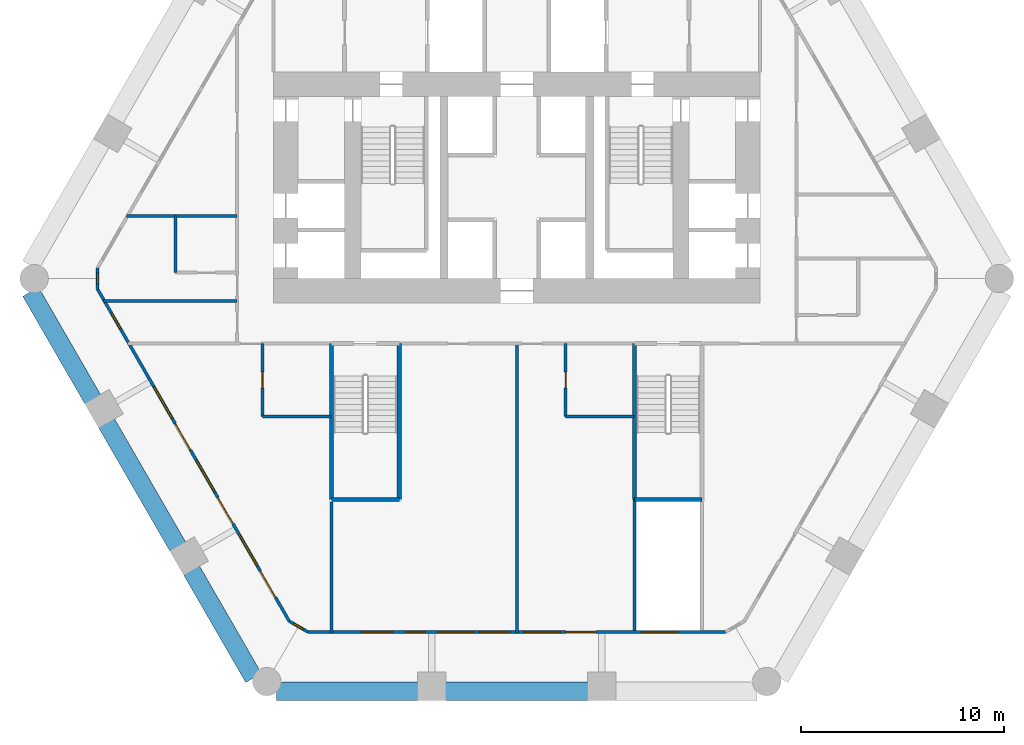
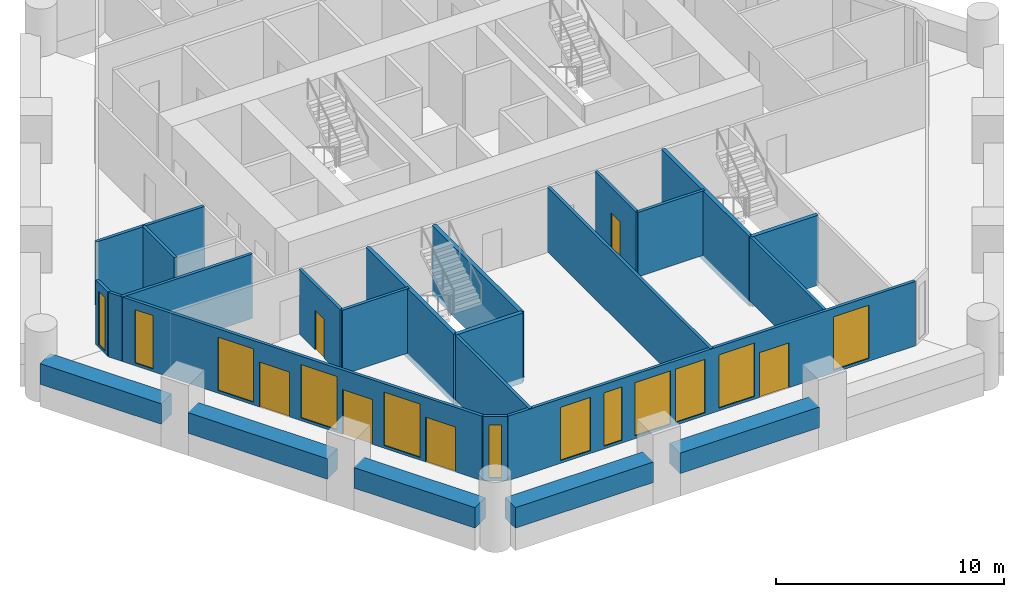
# One storey, part 2 of 8: 24 walls, 12 windows, 6 doors, 18 openings.
"""IFC4 building model written with IfcOpenShell, lengths in metres."""

from ifc_helpers import new_model, si_unit, direction, frame, frame_2d, origin, place, context, subcontext, project, spatial, rectangle, extrude, material, layer, layer_set, type_object, element, fill, save


model = new_model("IFC4")

# Units and contexts
model_context = context("Model", 3, precision=1e-05, world=origin(), true_north=direction((0.0, 1.0)))
body_context = subcontext(model_context, "Body", "Model", "MODEL_VIEW")
ifc_project = project(units=[si_unit("LENGTHUNIT", "METRE"), si_unit("AREAUNIT", "SQUARE_METRE"), si_unit("VOLUMEUNIT", "CUBIC_METRE"), si_unit("PLANEANGLEUNIT", "RADIAN"), si_unit("MASSUNIT", "GRAM", prefix="KILO")], contexts=[model_context])

# Site, building, storey
site_placement = place(None, origin())
site = spatial("IfcSite", under=ifc_project, at=site_placement, CompositionType="ELEMENT")
building_placement = place(site_placement, origin())
building = spatial("IfcBuilding", under=site, at=building_placement, Name="Ostrander Bayou Hotel Tower", CompositionType="ELEMENT")
storey_placement = place(building_placement, frame((0.0, 0.0, 50.5)))
storey = spatial("IfcBuildingStorey", under=building, at=storey_placement, Name="L12", CompositionType="ELEMENT", Elevation=50.5)

# Wall, openings, doors, windows
ifc_material_1 = material(Name="Aluminium framed insulated wall", Category="aluminium")
ifc_layer_1 = layer(ifc_material_1, 0.14990234375)
ifc_layer_set_1 = layer_set([ifc_layer_1], Name="GW1 glass-line wall 150 mm")
wall_type_1 = type_object("IfcWallType", Name="GW1 glass-line wall 150 mm", PredefinedType="SOLIDWALL", material=ifc_layer_set_1)
wall_1_placement = place(storey_placement, frame((-20.6845703125, -1.0234375, 0.0), z_axis=(0.0, 0.0, 1.0), x_axis=(0.500004426522, -0.866022848116, 0.0)))
wall_1 = element("IfcWall", 1, at=wall_1_placement, inside=storey, type_object=wall_type_1, Name="GW1 L12 SW 1", PredefinedType="SOLIDWALL", context=body_context, shape_type="SweptSolid", body=[
    extrude(rectangle(XDim=18.911865234375, YDim=0.14990234375, at=frame_2d((9.4560546875, 0.0))), origin(), (0.0, 0.0, 1.0), 3.449951171875),
])
opening_1_placement = place(wall_1_placement, frame((1.35595703125, 0.0, 0.14990234375)))
opening_1 = element("IfcOpeningElement", 2, at=opening_1_placement, cuts=wall_1, Name="Opening W15", PredefinedType="OPENING", context=body_context, shape_type="SweptSolid", body=[
    extrude(rectangle(XDim=0.89990234375, YDim=2.85009765625, at=frame_2d((0.449951171875, 1.425048828125))), frame((0.0, 0.074951171875, 0.0), z_axis=(0.0, -1.0, 0.0), x_axis=(1.0, 0.0, 0.0)), (0.0, 0.0, 1.0), 0.14990234375),
])
opening_2_placement = place(wall_1_placement, frame((5.555908203125, 0.0, 0.14990234375)))
opening_2 = element("IfcOpeningElement", 3, at=opening_2_placement, cuts=wall_1, Name="Opening W1", PredefinedType="OPENING", context=body_context, shape_type="SweptSolid", body=[
    extrude(rectangle(XDim=1.800048828125, YDim=2.85009765625, at=frame_2d((0.89990234375, 1.425048828125))), frame((0.0, 0.074951171875, 0.0), z_axis=(0.0, -1.0, 0.0), x_axis=(1.0, 0.0, 0.0)), (0.0, 0.0, 1.0), 0.14990234375),
])
opening_3_placement = place(wall_1_placement, frame((7.656005859375, 0.0, 0.0)))
opening_3 = element("IfcOpeningElement", 4, at=opening_3_placement, cuts=wall_1, Name="Opening T12-800", PredefinedType="OPENING", context=body_context, shape_type="SweptSolid", body=[
    extrude(rectangle(XDim=1.5, YDim=2.39990234375, at=frame_2d((0.75, 1.199951171875))), frame((0.0, 0.074951171875, 0.0), z_axis=(0.0, -1.0, 0.0), x_axis=(1.0, 0.0, 0.0)), (0.0, 0.0, 1.0), 0.14990234375),
])
opening_4_placement = place(wall_1_placement, frame((9.755859375, 0.0, 0.14990234375)))
opening_4 = element("IfcOpeningElement", 5, at=opening_4_placement, cuts=wall_1, Name="Opening W1", PredefinedType="OPENING", context=body_context, shape_type="SweptSolid", body=[
    extrude(rectangle(XDim=1.800048828125, YDim=2.85009765625, at=frame_2d((0.89990234375, 1.425048828125))), frame((0.0, 0.074951171875, 0.0), z_axis=(0.0, -1.0, 0.0), x_axis=(1.0, 0.0, 0.0)), (0.0, 0.0, 1.0), 0.14990234375),
])
opening_5_placement = place(wall_1_placement, frame((11.85595703125, 0.0, 0.0)))
opening_5 = element("IfcOpeningElement", 6, at=opening_5_placement, cuts=wall_1, Name="Opening T12-801", PredefinedType="OPENING", context=body_context, shape_type="SweptSolid", body=[
    extrude(rectangle(XDim=1.5, YDim=2.39990234375, at=frame_2d((0.75, 1.199951171875))), frame((0.0, 0.074951171875, 0.0), z_axis=(0.0, -1.0, 0.0), x_axis=(1.0, 0.0, 0.0)), (0.0, 0.0, 1.0), 0.14990234375),
])
opening_6_placement = place(wall_1_placement, frame((13.955810546875, 0.0, 0.14990234375)))
opening_6 = element("IfcOpeningElement", 7, at=opening_6_placement, cuts=wall_1, Name="Opening W1", PredefinedType="OPENING", context=body_context, shape_type="SweptSolid", body=[
    extrude(rectangle(XDim=1.800048828125, YDim=2.85009765625, at=frame_2d((0.89990234375, 1.425048828125))), frame((0.0, 0.074951171875, 0.0), z_axis=(0.0, -1.0, 0.0), x_axis=(1.0, 0.0, 0.0)), (0.0, 0.0, 1.0), 0.14990234375),
])
opening_7_placement = place(wall_1_placement, frame((16.055908203125, 0.0, 0.0)))
opening_7 = element("IfcOpeningElement", 8, at=opening_7_placement, cuts=wall_1, Name="Opening T12-802", PredefinedType="OPENING", context=body_context, shape_type="SweptSolid", body=[
    extrude(rectangle(XDim=1.5, YDim=2.39990234375, at=frame_2d((0.75, 1.199951171875))), frame((0.0, 0.074951171875, 0.0), z_axis=(0.0, -1.0, 0.0), x_axis=(1.0, 0.0, 0.0)), (0.0, 0.0, 1.0), 0.14990234375),
])
ifc_material_2 = material(Name="Aluminium and clear glass", Category="aluminium")
door_type_1 = type_object("IfcDoorType", Name="SD1 sliding glass door 1500 mm, zone 1", OperationType="SLIDING_TO_LEFT", PredefinedType="DOOR", material=ifc_material_2)
door_1_placement = place(opening_3_placement, origin())
door_1 = element("IfcDoor", 9, at=door_1_placement, inside=storey, type_object=door_type_1, Name="SD1 L12 SW 2", OperationType="SLIDING_TO_RIGHT", OverallHeight=2.39990234375, OverallWidth=1.5, PredefinedType="DOOR", context=body_context, shape_type="SweptSolid", body=[
    extrude(rectangle(XDim=1.5, YDim=2.39990234375, at=frame_2d((0.75, 1.199951171875))), frame((0.0, 0.02490234375, 0.0), z_axis=(0.0, -1.0, 0.0), x_axis=(1.0, 0.0, 0.0)), (0.0, 0.0, 1.0), 0.050048828125),
])
fill(opening_3, door_1)
door_2_placement = place(opening_5_placement, origin())
door_2 = element("IfcDoor", 10, at=door_2_placement, inside=storey, type_object=door_type_1, Name="SD1 L12 SW 3", OperationType="SLIDING_TO_LEFT", OverallHeight=2.39990234375, OverallWidth=1.5, PredefinedType="DOOR", context=body_context, shape_type="SweptSolid", body=[
    extrude(rectangle(XDim=1.5, YDim=2.39990234375, at=frame_2d((0.75, 1.199951171875))), frame((0.0, 0.02490234375, 0.0), z_axis=(0.0, -1.0, 0.0), x_axis=(1.0, 0.0, 0.0)), (0.0, 0.0, 1.0), 0.050048828125),
])
fill(opening_5, door_2)
door_3_placement = place(opening_7_placement, origin())
door_3 = element("IfcDoor", 11, at=door_3_placement, inside=storey, type_object=door_type_1, Name="SD1 L12 SW 4", OperationType="SLIDING_TO_RIGHT", OverallHeight=2.39990234375, OverallWidth=1.5, PredefinedType="DOOR", context=body_context, shape_type="SweptSolid", body=[
    extrude(rectangle(XDim=1.5, YDim=2.39990234375, at=frame_2d((0.75, 1.199951171875))), frame((0.0, 0.02490234375, 0.0), z_axis=(0.0, -1.0, 0.0), x_axis=(1.0, 0.0, 0.0)), (0.0, 0.0, 1.0), 0.050048828125),
])
fill(opening_7, door_3)
ifc_material_3 = material(Name="Aluminium and clear glass", Category="aluminium")
window_type_1 = type_object("IfcWindowType", Name="W1 fixed window 1800 mm, zone 1", PartitioningType="SINGLE_PANEL", PredefinedType="WINDOW", material=ifc_material_3)
window_1_placement = place(opening_2_placement, origin())
window_1 = element("IfcWindow", 12, at=window_1_placement, inside=storey, type_object=window_type_1, Name="W1 L12 SW 2", OverallHeight=2.85009765625, OverallWidth=1.800048828125, PartitioningType="SINGLE_PANEL", PredefinedType="WINDOW", context=body_context, shape_type="SweptSolid", body=[
    extrude(rectangle(XDim=1.800048828125, YDim=2.85009765625, at=frame_2d((0.89990234375, 1.425048828125))), frame((0.0, 0.030029296875, 0.0), z_axis=(0.0, -1.0, 0.0), x_axis=(1.0, 0.0, 0.0)), (0.0, 0.0, 1.0), 0.06005859375),
])
fill(opening_2, window_1)
window_2_placement = place(opening_4_placement, origin())
window_2 = element("IfcWindow", 13, at=window_2_placement, inside=storey, type_object=window_type_1, Name="W1 L12 SW 3", OverallHeight=2.85009765625, OverallWidth=1.800048828125, PartitioningType="SINGLE_PANEL", PredefinedType="WINDOW", context=body_context, shape_type="SweptSolid", body=[
    extrude(rectangle(XDim=1.800048828125, YDim=2.85009765625, at=frame_2d((0.89990234375, 1.425048828125))), frame((0.0, 0.030029296875, 0.0), z_axis=(0.0, -1.0, 0.0), x_axis=(1.0, 0.0, 0.0)), (0.0, 0.0, 1.0), 0.06005859375),
])
fill(opening_4, window_2)
window_3_placement = place(opening_6_placement, origin())
window_3 = element("IfcWindow", 14, at=window_3_placement, inside=storey, type_object=window_type_1, Name="W1 L12 SW 4", OverallHeight=2.85009765625, OverallWidth=1.800048828125, PartitioningType="SINGLE_PANEL", PredefinedType="WINDOW", context=body_context, shape_type="SweptSolid", body=[
    extrude(rectangle(XDim=1.800048828125, YDim=2.85009765625, at=frame_2d((0.89990234375, 1.425048828125))), frame((0.0, 0.030029296875, 0.0), z_axis=(0.0, -1.0, 0.0), x_axis=(1.0, 0.0, 0.0)), (0.0, 0.0, 1.0), 0.06005859375),
])
fill(opening_6, window_3)
ifc_material_4 = material(Name="Aluminium and clear glass", Category="aluminium")
window_type_2 = type_object("IfcWindowType", Name="W15 window 900 mm, zone 1", PartitioningType="SINGLE_PANEL", PredefinedType="WINDOW", material=ifc_material_4)
window_4_placement = place(opening_1_placement, origin())
window_4 = element("IfcWindow", 15, at=window_4_placement, inside=storey, type_object=window_type_2, Name="W15 L12 SW 1", OverallHeight=2.85009765625, OverallWidth=0.89990234375, PartitioningType="SINGLE_PANEL", PredefinedType="WINDOW", context=body_context, shape_type="SweptSolid", body=[
    extrude(rectangle(XDim=0.89990234375, YDim=2.85009765625, at=frame_2d((0.449951171875, 1.425048828125))), frame((0.0, 0.030029296875, 0.0), z_axis=(0.0, -1.0, 0.0), x_axis=(1.0, 0.0, 0.0)), (0.0, 0.0, 1.0), 0.06005859375),
])
fill(opening_1, window_4)

# Wall, openings, door, windows
wall_2_placement = place(storey_placement, frame((-10.306396484375, -17.93408203125, 0.0), z_axis=(0.0, 0.0, 1.0), x_axis=(1.0, 0.0, 0.0)))
wall_2 = element("IfcWall", 16, at=wall_2_placement, inside=storey, type_object=wall_type_1, Name="GW1 L12 S 1", PredefinedType="SOLIDWALL", context=body_context, shape_type="SweptSolid", body=[
    extrude(rectangle(XDim=20.61279296875, YDim=0.14990234375, at=frame_2d((10.306396484375, 0.0))), origin(), (0.0, 0.0, 1.0), 3.449951171875),
])
opening_8_placement = place(wall_2_placement, frame((4.856201171875, 0.0, 0.14990234375)))
opening_8 = element("IfcOpeningElement", 17, at=opening_8_placement, cuts=wall_2, Name="Opening W15", PredefinedType="OPENING", context=body_context, shape_type="SweptSolid", body=[
    extrude(rectangle(XDim=0.89990234375, YDim=2.85009765625, at=frame_2d((0.449951171875, 1.425048828125))), frame((0.0, 0.074951171875, 0.0), z_axis=(0.0, -1.0, 0.0), x_axis=(1.0, 0.0, 0.0)), (0.0, 0.0, 1.0), 0.14990234375),
])
opening_9_placement = place(wall_2_placement, frame((2.65625, 0.0, 0.14990234375)))
opening_9 = element("IfcOpeningElement", 18, at=opening_9_placement, cuts=wall_2, Name="Opening W11", PredefinedType="OPENING", context=body_context, shape_type="SweptSolid", body=[
    extrude(rectangle(XDim=1.5, YDim=2.85009765625, at=frame_2d((0.75, 1.425048828125))), frame((0.0, 0.074951171875, 0.0), z_axis=(0.0, -1.0, 0.0), x_axis=(1.0, 0.0, 0.0)), (0.0, 0.0, 1.0), 0.14990234375),
])
opening_10_placement = place(wall_2_placement, frame((6.40625, 0.0, 0.14990234375)))
opening_10 = element("IfcOpeningElement", 19, at=opening_10_placement, cuts=wall_2, Name="Opening W1", PredefinedType="OPENING", context=body_context, shape_type="SweptSolid", body=[
    extrude(rectangle(XDim=1.800048828125, YDim=2.85009765625, at=frame_2d((0.89990234375, 1.425048828125))), frame((0.0, 0.074951171875, 0.0), z_axis=(0.0, -1.0, 0.0), x_axis=(1.0, 0.0, 0.0)), (0.0, 0.0, 1.0), 0.14990234375),
])
opening_11_placement = place(wall_2_placement, frame((8.456298828125, 0.0, 0.14990234375)))
opening_11 = element("IfcOpeningElement", 20, at=opening_11_placement, cuts=wall_2, Name="Opening W11", PredefinedType="OPENING", context=body_context, shape_type="SweptSolid", body=[
    extrude(rectangle(XDim=1.5, YDim=2.85009765625, at=frame_2d((0.75, 1.425048828125))), frame((0.0, 0.074951171875, 0.0), z_axis=(0.0, -1.0, 0.0), x_axis=(1.0, 0.0, 0.0)), (0.0, 0.0, 1.0), 0.14990234375),
])
opening_12_placement = place(wall_2_placement, frame((10.65625, 0.0, 0.14990234375)))
opening_12 = element("IfcOpeningElement", 21, at=opening_12_placement, cuts=wall_2, Name="Opening W1", PredefinedType="OPENING", context=body_context, shape_type="SweptSolid", body=[
    extrude(rectangle(XDim=1.800048828125, YDim=2.85009765625, at=frame_2d((0.89990234375, 1.425048828125))), frame((0.0, 0.074951171875, 0.0), z_axis=(0.0, -1.0, 0.0), x_axis=(1.0, 0.0, 0.0)), (0.0, 0.0, 1.0), 0.14990234375),
])
opening_13_placement = place(wall_2_placement, frame((12.706298828125, 0.0, 0.0)))
opening_13 = element("IfcOpeningElement", 22, at=opening_13_placement, cuts=wall_2, Name="Opening T12-803", PredefinedType="OPENING", context=body_context, shape_type="SweptSolid", body=[
    extrude(rectangle(XDim=1.5, YDim=2.39990234375, at=frame_2d((0.75, 1.199951171875))), frame((0.0, 0.074951171875, 0.0), z_axis=(0.0, -1.0, 0.0), x_axis=(1.0, 0.0, 0.0)), (0.0, 0.0, 1.0), 0.14990234375),
])
opening_14_placement = place(wall_2_placement, frame((16.456298828125, 0.0, 0.14990234375)))
opening_14 = element("IfcOpeningElement", 23, at=opening_14_placement, cuts=wall_2, Name="Opening W1", PredefinedType="OPENING", context=body_context, shape_type="SweptSolid", body=[
    extrude(rectangle(XDim=1.800048828125, YDim=2.85009765625, at=frame_2d((0.89990234375, 1.425048828125))), frame((0.0, 0.074951171875, 0.0), z_axis=(0.0, -1.0, 0.0), x_axis=(1.0, 0.0, 0.0)), (0.0, 0.0, 1.0), 0.14990234375),
])
door_4_placement = place(opening_13_placement, origin())
door_4 = element("IfcDoor", 24, at=door_4_placement, inside=storey, type_object=door_type_1, Name="SD1 L12 S 3", OperationType="SLIDING_TO_LEFT", OverallHeight=2.39990234375, OverallWidth=1.5, PredefinedType="DOOR", context=body_context, shape_type="SweptSolid", body=[
    extrude(rectangle(XDim=1.5, YDim=2.39990234375, at=frame_2d((0.75, 1.199951171875))), frame((0.0, 0.02490234375, 0.0), z_axis=(0.0, -1.0, 0.0), x_axis=(1.0, 0.0, 0.0)), (0.0, 0.0, 1.0), 0.050048828125),
])
fill(opening_13, door_4)
window_5_placement = place(opening_10_placement, origin())
window_5 = element("IfcWindow", 25, at=window_5_placement, inside=storey, type_object=window_type_1, Name="W1 L12 S 2", OverallHeight=2.85009765625, OverallWidth=1.800048828125, PartitioningType="SINGLE_PANEL", PredefinedType="WINDOW", context=body_context, shape_type="SweptSolid", body=[
    extrude(rectangle(XDim=1.800048828125, YDim=2.85009765625, at=frame_2d((0.89990234375, 1.425048828125))), frame((0.0, 0.030029296875, 0.0), z_axis=(0.0, -1.0, 0.0), x_axis=(1.0, 0.0, 0.0)), (0.0, 0.0, 1.0), 0.06005859375),
])
fill(opening_10, window_5)
window_6_placement = place(opening_12_placement, origin())
window_6 = element("IfcWindow", 26, at=window_6_placement, inside=storey, type_object=window_type_1, Name="W1 L12 S 3", OverallHeight=2.85009765625, OverallWidth=1.800048828125, PartitioningType="SINGLE_PANEL", PredefinedType="WINDOW", context=body_context, shape_type="SweptSolid", body=[
    extrude(rectangle(XDim=1.800048828125, YDim=2.85009765625, at=frame_2d((0.89990234375, 1.425048828125))), frame((0.0, 0.030029296875, 0.0), z_axis=(0.0, -1.0, 0.0), x_axis=(1.0, 0.0, 0.0)), (0.0, 0.0, 1.0), 0.06005859375),
])
fill(opening_12, window_6)
window_7_placement = place(opening_14_placement, origin())
window_7 = element("IfcWindow", 27, at=window_7_placement, inside=storey, type_object=window_type_1, Name="W1 L12 S 4", OverallHeight=2.85009765625, OverallWidth=1.800048828125, PartitioningType="SINGLE_PANEL", PredefinedType="WINDOW", context=body_context, shape_type="SweptSolid", body=[
    extrude(rectangle(XDim=1.800048828125, YDim=2.85009765625, at=frame_2d((0.89990234375, 1.425048828125))), frame((0.0, 0.030029296875, 0.0), z_axis=(0.0, -1.0, 0.0), x_axis=(1.0, 0.0, 0.0)), (0.0, 0.0, 1.0), 0.06005859375),
])
fill(opening_14, window_7)
ifc_material_5 = material(Name="Aluminium and clear glass", Category="aluminium")
window_type_3 = type_object("IfcWindowType", Name="W11 fixed window 1500 mm, bath bay, zone 1", PartitioningType="SINGLE_PANEL", PredefinedType="WINDOW", material=ifc_material_5)
window_8_placement = place(opening_9_placement, origin())
window_8 = element("IfcWindow", 28, at=window_8_placement, inside=storey, type_object=window_type_3, Name="W11 L12 S 1", OverallHeight=2.85009765625, OverallWidth=1.5, PartitioningType="SINGLE_PANEL", PredefinedType="WINDOW", context=body_context, shape_type="SweptSolid", body=[
    extrude(rectangle(XDim=1.5, YDim=2.85009765625, at=frame_2d((0.75, 1.425048828125))), frame((0.0, 0.030029296875, 0.0), z_axis=(0.0, -1.0, 0.0), x_axis=(1.0, 0.0, 0.0)), (0.0, 0.0, 1.0), 0.06005859375),
])
fill(opening_9, window_8)
window_9_placement = place(opening_11_placement, origin())
window_9 = element("IfcWindow", 29, at=window_9_placement, inside=storey, type_object=window_type_3, Name="W11 L12 S 2", OverallHeight=2.85009765625, OverallWidth=1.5, PartitioningType="SINGLE_PANEL", PredefinedType="WINDOW", context=body_context, shape_type="SweptSolid", body=[
    extrude(rectangle(XDim=1.5, YDim=2.85009765625, at=frame_2d((0.75, 1.425048828125))), frame((0.0, 0.030029296875, 0.0), z_axis=(0.0, -1.0, 0.0), x_axis=(1.0, 0.0, 0.0)), (0.0, 0.0, 1.0), 0.06005859375),
])
fill(opening_11, window_9)
window_10_placement = place(opening_8_placement, origin())
window_10 = element("IfcWindow", 30, at=window_10_placement, inside=storey, type_object=window_type_2, Name="W15 L12 S 1", OverallHeight=2.85009765625, OverallWidth=0.89990234375, PartitioningType="SINGLE_PANEL", PredefinedType="WINDOW", context=body_context, shape_type="SweptSolid", body=[
    extrude(rectangle(XDim=0.89990234375, YDim=2.85009765625, at=frame_2d((0.449951171875, 1.425048828125))), frame((0.0, 0.030029296875, 0.0), z_axis=(0.0, -1.0, 0.0), x_axis=(1.0, 0.0, 0.0)), (0.0, 0.0, 1.0), 0.06005859375),
])
fill(opening_8, window_10)

# Wall, opening, window
wall_3_placement = place(storey_placement, frame((-20.6845703125, 0.04150390625, 0.0), z_axis=(0.0, 0.0, 1.0), x_axis=(0.0, -1.0, 0.0)))
wall_3 = element("IfcWall", 31, at=wall_3_placement, inside=storey, type_object=wall_type_1, Name="GW1 L12 corner 2", PredefinedType="SOLIDWALL", context=body_context, shape_type="SweptSolid", body=[
    extrude(rectangle(XDim=1.06494140625, YDim=0.14990234375, at=frame_2d((0.532470703125, 0.0))), origin(), (0.0, 0.0, 1.0), 3.449951171875),
])
opening_15_placement = place(wall_3_placement, frame((0.257568359375, 0.0, 0.14990234375)))
opening_15 = element("IfcOpeningElement", 32, at=opening_15_placement, cuts=wall_3, Name="Opening W19", PredefinedType="OPENING", context=body_context, shape_type="SweptSolid", body=[
    extrude(rectangle(XDim=0.550048828125, YDim=2.85009765625, at=frame_2d((0.27490234375, 1.425048828125))), frame((0.0, 0.074951171875, 0.0), z_axis=(0.0, -1.0, 0.0), x_axis=(1.0, 0.0, 0.0)), (0.0, 0.0, 1.0), 0.14990234375),
])
ifc_material_6 = material(Name="Aluminium and clear glass", Category="aluminium")
window_type_4 = type_object("IfcWindowType", Name="W19 corner window 550 mm", PartitioningType="SINGLE_PANEL", PredefinedType="WINDOW", material=ifc_material_6)
window_11_placement = place(opening_15_placement, origin())
window_11 = element("IfcWindow", 33, at=window_11_placement, inside=storey, type_object=window_type_4, Name="W19 L12 corner 2", OverallHeight=2.85009765625, OverallWidth=0.550048828125, PartitioningType="SINGLE_PANEL", PredefinedType="WINDOW", context=body_context, shape_type="SweptSolid", body=[
    extrude(rectangle(XDim=0.550048828125, YDim=2.85009765625, at=frame_2d((0.27490234375, 1.425048828125))), frame((0.0, 0.030029296875, 0.0), z_axis=(0.0, -1.0, 0.0), x_axis=(1.0, 0.0, 0.0)), (0.0, 0.0, 1.0), 0.06005859375),
])
fill(opening_15, window_11)

wall_4_placement = place(storey_placement, frame((-11.228515625, -17.401611328125, 0.0), z_axis=(0.0, 0.0, 1.0), x_axis=(0.865990848561, -0.500059846627, 0.0)))
wall_4 = element("IfcWall", 34, at=wall_4_placement, inside=storey, type_object=wall_type_1, Name="GW1 L12 corner 3", PredefinedType="SOLIDWALL", context=body_context, shape_type="SweptSolid", body=[
    extrude(rectangle(XDim=1.064697265625, YDim=0.14990234375, at=frame_2d((0.5322265625, 0.0))), origin(), (0.0, 0.0, 1.0), 3.449951171875),
])
opening_16_placement = place(wall_4_placement, frame((0.257568359375, 0.0, 0.14990234375)))
opening_16 = element("IfcOpeningElement", 35, at=opening_16_placement, cuts=wall_4, Name="Opening W19", PredefinedType="OPENING", context=body_context, shape_type="SweptSolid", body=[
    extrude(rectangle(XDim=0.550048828125, YDim=2.85009765625, at=frame_2d((0.27490234375, 1.425048828125))), frame((0.0, 0.074951171875, 0.0), z_axis=(0.0, -1.0, 0.0), x_axis=(1.0, 0.0, 0.0)), (0.0, 0.0, 1.0), 0.14990234375),
])
window_12_placement = place(opening_16_placement, origin())
window_12 = element("IfcWindow", 36, at=window_12_placement, inside=storey, type_object=window_type_4, Name="W19 L12 corner 3", OverallHeight=2.85009765625, OverallWidth=0.550048828125, PartitioningType="SINGLE_PANEL", PredefinedType="WINDOW", context=body_context, shape_type="SweptSolid", body=[
    extrude(rectangle(XDim=0.550048828125, YDim=2.85009765625, at=frame_2d((0.27490234375, 1.425048828125))), frame((0.0, 0.030029296875, 0.0), z_axis=(0.0, -1.0, 0.0), x_axis=(1.0, 0.0, 0.0)), (0.0, 0.0, 1.0), 0.06005859375),
])
fill(opening_16, window_12)

# Walls
ifc_material_7 = material(Name="Concrete f'c 40 MPa", Category="concrete")
ifc_layer_2 = layer(ifc_material_7, 0.89990234375)
ifc_layer_set_2 = layer_set([ifc_layer_2], Name="PA1 stone-faced parapet 900 mm")
wall_type_2 = type_object("IfcWallType", Name="PA1 stone-faced parapet 900 mm", PredefinedType="PARAPET", material=ifc_layer_set_2)
wall_5_placement = place(storey_placement, frame((-11.852294921875, -20.85888671875, 0.0), z_axis=(0.0, 0.0, 1.0), x_axis=(1.0, 0.0, 0.0)))
element("IfcWall", 37, at=wall_5_placement, inside=storey, type_object=wall_type_2, Name="PA1 L12 S-1", PredefinedType="PARAPET", context=body_context, shape_type="SweptSolid", body=[
    extrude(rectangle(XDim=6.98681640625, YDim=0.89990234375, at=frame_2d((3.493408203125, 0.0))), origin(), (0.0, 0.0, 1.0), 1.10009765625),
])
wall_6_placement = place(storey_placement, frame((-3.525390625, -20.85888671875, 0.0), z_axis=(0.0, 0.0, 1.0), x_axis=(1.0, 0.0, 0.0)))
element("IfcWall", 38, at=wall_6_placement, inside=storey, type_object=wall_type_2, Name="PA1 L12 S-2", PredefinedType="PARAPET", context=body_context, shape_type="SweptSolid", body=[
    extrude(rectangle(XDim=7.05078125, YDim=0.89990234375, at=frame_2d((3.525390625, 0.0))), origin(), (0.0, 0.0, 1.0), 1.10009765625),
])
ifc_material_8 = material(Name="Limestone masonry", Category="masonry")
ifc_layer_3 = layer(ifc_material_8, 0.89990234375)
ifc_layer_set_3 = layer_set([ifc_layer_3], Name="PA2 limestone parapet 900 mm")
wall_type_3 = type_object("IfcWallType", Name="PA2 limestone parapet 900 mm", PredefinedType="PARAPET", material=ifc_layer_set_3)
wall_7_placement = place(storey_placement, frame((-23.99072265625, -1.14697265625, 0.0), z_axis=(0.0, 0.0, 1.0), x_axis=(0.500007141444, -0.86602128063, 0.0)))
element("IfcWall", 39, at=wall_7_placement, inside=storey, type_object=wall_type_3, Name="PA2 L12 SW-1", PredefinedType="PARAPET", context=body_context, shape_type="SweptSolid", body=[
    extrude(rectangle(XDim=6.13671875, YDim=0.89990234375, at=frame_2d((3.068359375, 0.0))), origin(), (0.0, 0.0, 1.0), 1.10009765625),
])
wall_8_placement = place(storey_placement, frame((-20.252197265625, -7.621826171875, 0.0), z_axis=(0.0, 0.0, 1.0), x_axis=(0.499997206141, -0.866027016814, 0.0)))
element("IfcWall", 40, at=wall_8_placement, inside=storey, type_object=wall_type_3, Name="PA2 L12 SW-2", PredefinedType="PARAPET", context=body_context, shape_type="SweptSolid", body=[
    extrude(rectangle(XDim=7.05078125, YDim=0.89990234375, at=frame_2d((3.525390625, 0.0))), origin(), (0.0, 0.0, 1.0), 1.10009765625),
])
wall_9_placement = place(storey_placement, frame((-16.056884765625, -14.888671875, 0.0), z_axis=(0.0, 0.0, 1.0), x_axis=(0.500007141444, -0.86602128063, 0.0)))
element("IfcWall", 41, at=wall_9_placement, inside=storey, type_object=wall_type_3, Name="PA2 L12 SW-3", PredefinedType="PARAPET", context=body_context, shape_type="SweptSolid", body=[
    extrude(rectangle(XDim=6.13671875, YDim=0.89990234375, at=frame_2d((3.068359375, 0.0))), origin(), (0.0, 0.0, 1.0), 1.10009765625),
])
ifc_material_9 = material(Name="Gypsum board partition", Category="finish")
ifc_layer_4 = layer(ifc_material_9, 0.14990234375)
ifc_layer_set_4 = layer_set([ifc_layer_4], Name="PT7 riser wall 150 mm, 2 hour")
wall_type_4 = type_object("IfcWallType", Name="PT7 riser wall 150 mm, 2 hour", PredefinedType="PARTITIONING", material=ifc_layer_set_4)
wall_10_placement = place(storey_placement, frame((5.800048828125, -11.39990234375, 0.0), z_axis=(0.0, 0.0, 1.0), x_axis=(0.0, -1.0, 0.0)))
element("IfcWall", 42, at=wall_10_placement, inside=storey, type_object=wall_type_4, Name="cs:L12:017", PredefinedType="PARTITIONING", context=body_context, shape_type="SweptSolid", body=[
    extrude(rectangle(XDim=6.458984375, YDim=0.14990234375, at=frame_2d((3.2294921875, 0.0))), origin(), (0.0, 0.0, 1.0), 3.449951171875),
])
ifc_material_10 = material(Name="Gypsum board partition", Category="finish")
ifc_layer_5 = layer(ifc_material_10, 0.14990234375)
ifc_layer_set_5 = layer_set([ifc_layer_5], Name="PT8 service band wall 150 mm, 1 hour")
wall_type_5 = type_object("IfcWallType", Name="PT8 service band wall 150 mm, 1 hour", PredefinedType="PARTITIONING", material=ifc_layer_set_5)
wall_11_placement = place(storey_placement, frame((-12.550048828125, -7.300048828125, 0.0), z_axis=(0.0, 0.0, 1.0), x_axis=(1.0, 0.0, 0.0)))
element("IfcWall", 43, at=wall_11_placement, inside=storey, type_object=wall_type_5, Name="gw:L12:001", PredefinedType="PARTITIONING", context=body_context, shape_type="SweptSolid", body=[
    extrude(rectangle(XDim=3.39013671875, YDim=0.14990234375, at=frame_2d((1.695068359375, 0.0))), origin(), (0.0, 0.0, 1.0), 3.449951171875),
])
wall_12_placement = place(storey_placement, frame((2.409912109375, -7.300048828125, 0.0), z_axis=(0.0, 0.0, 1.0), x_axis=(1.0, 0.0, 0.0)))
element("IfcWall", 44, at=wall_12_placement, inside=storey, type_object=wall_type_5, Name="gw:L12:002", PredefinedType="PARTITIONING", context=body_context, shape_type="SweptSolid", body=[
    extrude(rectangle(XDim=3.380126953125, YDim=0.14990234375, at=frame_2d((1.68994140625, 0.0))), origin(), (0.0, 0.0, 1.0), 3.449951171875),
])
wall_13_placement = place(storey_placement, frame((-20.404052734375, -1.60009765625, 0.0), z_axis=(0.0, 0.0, 1.0), x_axis=(1.0, 0.0, 0.0)))
element("IfcWall", 45, at=wall_13_placement, inside=storey, type_object=wall_type_5, Name="gw:L12:007", PredefinedType="PARTITIONING", context=body_context, shape_type="SweptSolid", body=[
    extrude(rectangle(XDim=6.60400390625, YDim=0.14990234375, at=frame_2d((3.302001953125, 0.0))), origin(), (0.0, 0.0, 1.0), 3.449951171875),
])
wall_14_placement = place(storey_placement, frame((-19.259033203125, 2.60009765625, 0.0), z_axis=(0.0, 0.0, 1.0), x_axis=(1.0, 0.0, 0.0)))
element("IfcWall", 46, at=wall_14_placement, inside=storey, type_object=wall_type_5, Name="gw:L12:010", PredefinedType="PARTITIONING", context=body_context, shape_type="SweptSolid", body=[
    extrude(rectangle(XDim=5.458984375, YDim=0.14990234375, at=frame_2d((2.7294921875, 0.0))), origin(), (0.0, 0.0, 1.0), 3.449951171875),
])

# Wall, opening, door
wall_15_placement = place(storey_placement, frame((2.409912109375, -7.300048828125, 0.0), z_axis=(0.0, 0.0, 1.0), x_axis=(0.0, 1.0, 0.0)))
wall_15 = element("IfcWall", 47, at=wall_15_placement, inside=storey, type_object=wall_type_5, Name="gw:L12:025", PredefinedType="PARTITIONING", context=body_context, shape_type="SweptSolid", body=[
    extrude(rectangle(XDim=3.60009765625, YDim=0.14990234375, at=frame_2d((1.800048828125, 0.0))), origin(), (0.0, 0.0, 1.0), 3.449951171875),
])
opening_17_placement = place(wall_15_placement, frame((1.39990234375, 0.0, 0.0)))
opening_17 = element("IfcOpeningElement", 48, at=opening_17_placement, cuts=wall_15, Name="Opening T12-404", PredefinedType="OPENING", context=body_context, shape_type="SweptSolid", body=[
    extrude(rectangle(XDim=0.800048828125, YDim=2.10009765625, at=frame_2d((0.39990234375, 1.050048828125))), frame((0.0, 0.074951171875, 0.0), z_axis=(0.0, -1.0, 0.0), x_axis=(1.0, 0.0, 0.0)), (0.0, 0.0, 1.0), 0.14990234375),
])
ifc_material_11 = material(Name="Timber door leaf", Category="wood")
door_type_2 = type_object("IfcDoorType", Name="D2 bathroom door 800 x 2100 mm", OperationType="SINGLE_SWING_LEFT", PredefinedType="DOOR", material=ifc_material_11)
door_5_placement = place(opening_17_placement, origin())
door_5 = element("IfcDoor", 49, at=door_5_placement, inside=storey, type_object=door_type_2, Name="dr:L12:404", OperationType="SINGLE_SWING_RIGHT", OverallHeight=2.10009765625, OverallWidth=0.800048828125, PredefinedType="DOOR", context=body_context, shape_type="SweptSolid", body=[
    extrude(rectangle(XDim=0.800048828125, YDim=2.10009765625, at=frame_2d((0.39990234375, 1.050048828125))), frame((0.0, 0.02490234375, 0.0), z_axis=(0.0, -1.0, 0.0), x_axis=(1.0, 0.0, 0.0)), (0.0, 0.0, 1.0), 0.050048828125),
])
fill(opening_17, door_5)

# Walls
wall_16_placement = place(storey_placement, frame((0.0, -17.97900390625, 0.0), z_axis=(0.0, 0.0, 1.0), x_axis=(0.0, 1.0, 0.0)))
element("IfcWall", 50, at=wall_16_placement, inside=storey, type_object=wall_type_5, Name="gw:L12:027", PredefinedType="PARTITIONING", context=body_context, shape_type="SweptSolid", body=[
    extrude(rectangle(XDim=14.279052734375, YDim=0.14990234375, at=frame_2d((7.1396484375, 0.0))), origin(), (0.0, 0.0, 1.0), 3.449951171875),
])
wall_17_placement = place(storey_placement, frame((-9.14990234375, -17.97900390625, 0.0), z_axis=(0.0, 0.0, 1.0), x_axis=(0.0, 1.0, 0.0)))
element("IfcWall", 51, at=wall_17_placement, inside=storey, type_object=wall_type_5, Name="gw:L12:032", PredefinedType="PARTITIONING", context=body_context, shape_type="SweptSolid", body=[
    extrude(rectangle(XDim=6.468994140625, YDim=0.14990234375, at=frame_2d((3.234375, 0.0))), origin(), (0.0, 0.0, 1.0), 3.449951171875),
])

# Wall, opening, door
wall_18_placement = place(storey_placement, frame((-12.550048828125, -7.300048828125, 0.0), z_axis=(0.0, 0.0, 1.0), x_axis=(0.0, 1.0, 0.0)))
wall_18 = element("IfcWall", 52, at=wall_18_placement, inside=storey, type_object=wall_type_5, Name="gw:L12:034", PredefinedType="PARTITIONING", context=body_context, shape_type="SweptSolid", body=[
    extrude(rectangle(XDim=3.60009765625, YDim=0.14990234375, at=frame_2d((1.800048828125, 0.0))), origin(), (0.0, 0.0, 1.0), 3.449951171875),
])
opening_18_placement = place(wall_18_placement, frame((1.39990234375, 0.0, 0.0)))
opening_18 = element("IfcOpeningElement", 53, at=opening_18_placement, cuts=wall_18, Name="Opening T12-402", PredefinedType="OPENING", context=body_context, shape_type="SweptSolid", body=[
    extrude(rectangle(XDim=0.800048828125, YDim=2.10009765625, at=frame_2d((0.39990234375, 1.050048828125))), frame((0.0, 0.074951171875, 0.0), z_axis=(0.0, -1.0, 0.0), x_axis=(1.0, 0.0, 0.0)), (0.0, 0.0, 1.0), 0.14990234375),
])
door_6_placement = place(opening_18_placement, origin())
door_6 = element("IfcDoor", 54, at=door_6_placement, inside=storey, type_object=door_type_2, Name="dr:L12:402", OperationType="SINGLE_SWING_RIGHT", OverallHeight=2.10009765625, OverallWidth=0.800048828125, PredefinedType="DOOR", context=body_context, shape_type="SweptSolid", body=[
    extrude(rectangle(XDim=0.800048828125, YDim=2.10009765625, at=frame_2d((0.39990234375, 1.050048828125))), frame((0.0, 0.02490234375, 0.0), z_axis=(0.0, -1.0, 0.0), x_axis=(1.0, 0.0, 0.0)), (0.0, 0.0, 1.0), 0.050048828125),
])
fill(opening_18, door_6)

# Walls
wall_19_placement = place(storey_placement, frame((-16.85009765625, -0.199951171875, 0.0), z_axis=(0.0, 0.0, 1.0), x_axis=(0.0, 1.0, 0.0)))
element("IfcWall", 55, at=wall_19_placement, inside=storey, type_object=wall_type_5, Name="gw:L12:036", PredefinedType="PARTITIONING", context=body_context, shape_type="SweptSolid", body=[
    extrude(rectangle(XDim=2.800048828125, YDim=0.14990234375, at=frame_2d((1.39990234375, 0.0))), origin(), (0.0, 0.0, 1.0), 3.449951171875),
])
ifc_material_12 = material(Name="Concrete f'c 45 MPa", Category="concrete")
ifc_layer_6 = layer(ifc_material_12, 0.199951171875)
ifc_layer_set_6 = layer_set([ifc_layer_6], Name="SW5 stair enclosure wall 200 mm f'c 45 MPa")
wall_type_6 = type_object("IfcWallType", Name="SW5 stair enclosure wall 200 mm f'c 45 MPa", PredefinedType="SOLIDWALL", material=ifc_layer_set_6)
wall_20_placement = place(storey_placement, frame((5.800048828125, -3.699951171875, -0.300048828125), z_axis=(0.0, 0.0, 1.0), x_axis=(0.0, -1.0, 0.0)))
element("IfcWall", 56, at=wall_20_placement, inside=storey, type_object=wall_type_6, Name="cs:L12:014", PredefinedType="SOLIDWALL", context=body_context, shape_type="SweptSolid", body=[
    extrude(rectangle(XDim=7.699951171875, YDim=0.199951171875, at=frame_2d((3.85009765625, 0.0))), origin(), (0.0, 0.0, 1.0), 3.75),
])
wall_21_placement = place(storey_placement, frame((5.800048828125, -11.39990234375, -0.300048828125), z_axis=(0.0, 0.0, 1.0), x_axis=(1.0, 0.0, 0.0)))
element("IfcWall", 57, at=wall_21_placement, inside=storey, type_object=wall_type_6, Name="cs:L12:016", PredefinedType="SOLIDWALL", context=body_context, shape_type="SweptSolid", body=[
    extrude(rectangle(XDim=3.349853515625, YDim=0.199951171875, at=frame_2d((1.6748046875, 0.0))), origin(), (0.0, 0.0, 1.0), 3.75),
])
for number, where, z_axis, x_axis, name in (
    (58, (-9.14990234375, -3.699951171875, -0.300048828125), (0.0, 0.0, 1.0), (0.0, -1.0, 0.0), "cs:L12:020"),
    (59, (-5.800048828125, -3.699951171875, -0.300048828125), (0.0, 0.0, 1.0), (0.0, -1.0, 0.0), "cs:L12:021"),
):
    element("IfcWall", number, at=place(storey_placement, frame(where, z_axis=z_axis, x_axis=x_axis)), inside=storey, type_object=wall_type_6, Name=name, PredefinedType="SOLIDWALL", context=body_context, shape_type="SweptSolid", body=[
        extrude(rectangle(XDim=7.699951171875, YDim=0.199951171875, at=frame_2d((3.85009765625, 0.0))), origin(), (0.0, 0.0, 1.0), 3.75),
    ])
wall_22_placement = place(storey_placement, frame((-9.14990234375, -11.39990234375, -0.300048828125), z_axis=(0.0, 0.0, 1.0), x_axis=(1.0, 0.0, 0.0)))
element("IfcWall", 60, at=wall_22_placement, inside=storey, type_object=wall_type_6, Name="cs:L12:022", PredefinedType="SOLIDWALL", context=body_context, shape_type="SweptSolid", body=[
    extrude(rectangle(XDim=3.349853515625, YDim=0.199951171875, at=frame_2d((1.6748046875, 0.0))), origin(), (0.0, 0.0, 1.0), 3.75),
])

save(model, "model.ifc")
